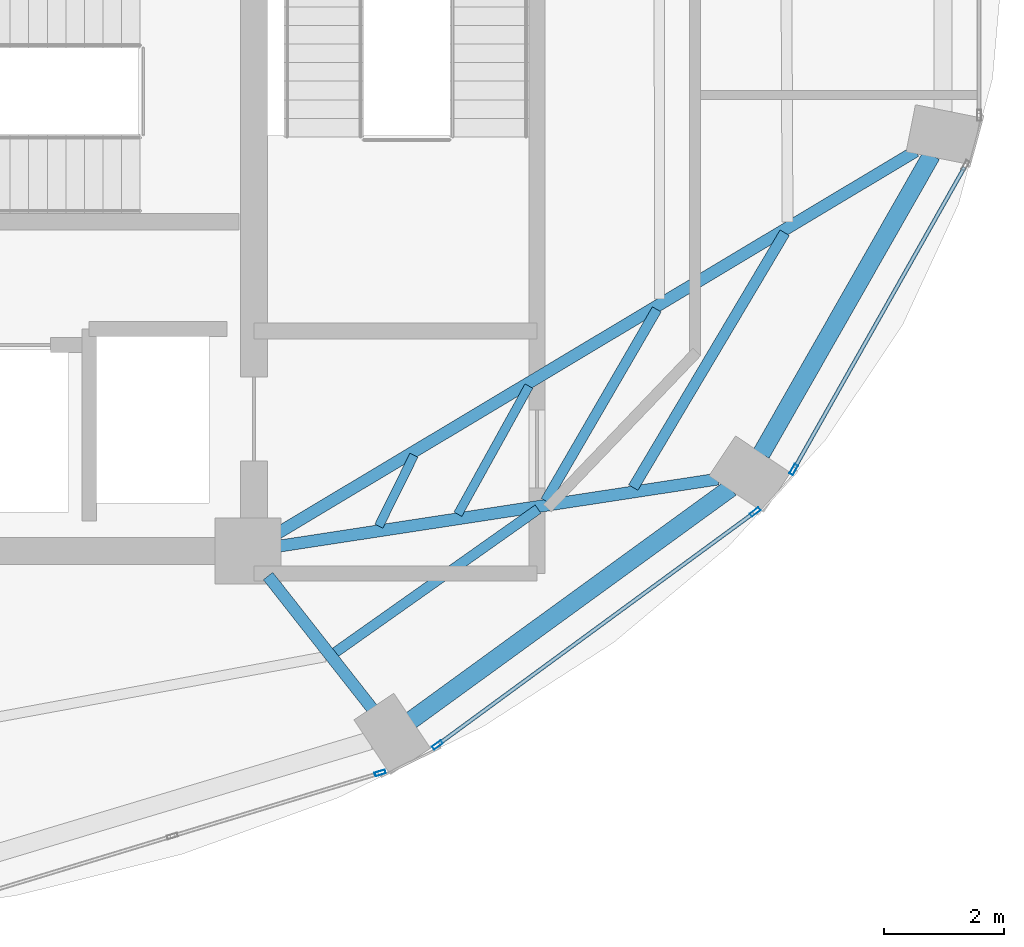
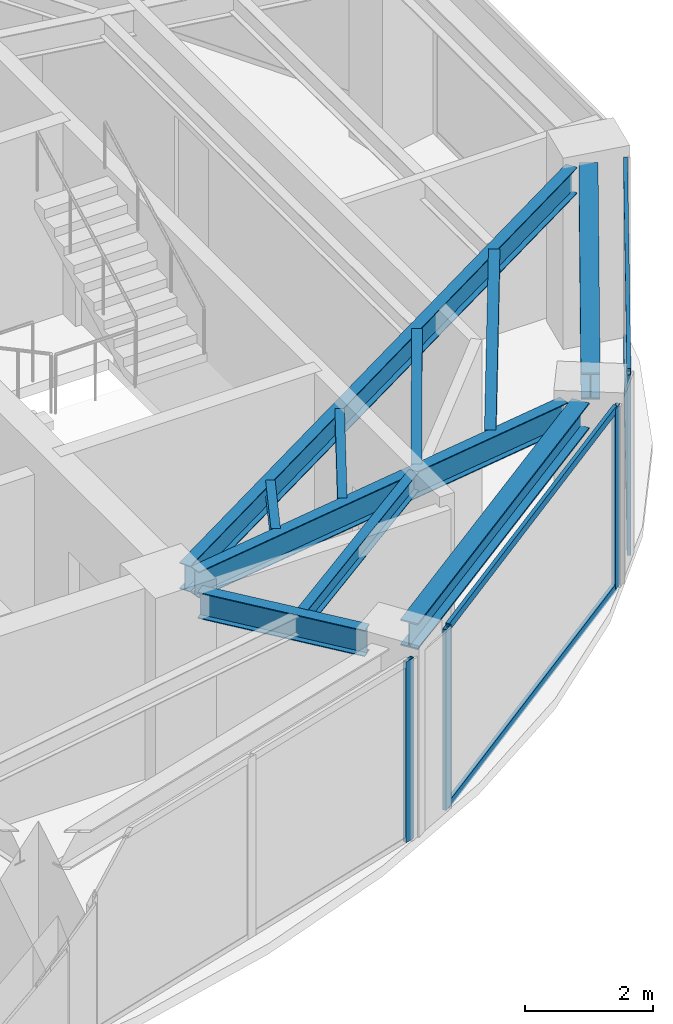
# One storey, part 13 of 22: 10 beams, 8 members, 3 elements without a shape of their own.
"""IFC4 building model written with IfcOpenShell, lengths in metres."""

from ifc_helpers import new_model, si_unit, direction, frame, origin, origin_2d, place, context, subcontext, project, spatial, hollow_rectangle, i_section, extrude, material, layer, layer_set, material_profile, profile_set, type_object, element, aggregate, save


model = new_model("IFC4")

# Units and contexts
model_context = context("Model", 3, precision=1e-05, world=origin(), true_north=direction((0.0, 1.0)))
body_context = subcontext(model_context, "Body", "Model", "MODEL_VIEW")
ifc_project = project(units=[si_unit("LENGTHUNIT", "METRE"), si_unit("AREAUNIT", "SQUARE_METRE"), si_unit("VOLUMEUNIT", "CUBIC_METRE"), si_unit("PLANEANGLEUNIT", "RADIAN"), si_unit("MASSUNIT", "GRAM", prefix="KILO")], contexts=[model_context])

# Site, building, storey
site_placement = place(None, origin())
site = spatial("IfcSite", under=ifc_project, at=site_placement, CompositionType="ELEMENT")
building_placement = place(site_placement, origin())
building = spatial("IfcBuilding", under=site, at=building_placement, Name="Lazwardi Medical Tower", CompositionType="ELEMENT")
storey_placement = place(building_placement, frame((0.0, 0.0, 238.60791015625)))
storey = spatial("IfcBuildingStorey", under=building, at=storey_placement, Name="L62", CompositionType="ELEMENT", Elevation=238.60791015625)

# Beams
ifc_material_1 = material(Name="Steel S355", Category="steel")
ifc_material_profile_1 = material_profile(ifc_material_1, i_section(OverallWidth=0.300048828125, OverallDepth=0.5, WebThickness=0.014404296875, FlangeThickness=0.028076171875, at=origin_2d()), Name="HEB 500")
ifc_profile_set_1 = profile_set([ifc_material_profile_1], Name="Steel S355")
beam_type_1 = type_object("IfcBeamType", Name="BM-RB-Z4", PredefinedType="BEAM", material=ifc_profile_set_1)
beam_1_placement = place(storey_placement, frame((48.31591796875, 17.5751953125, 3.197998046875), z_axis=(0.808889916254, 0.587960120571, 0.0), x_axis=(-0.587960120571, 0.808889916254, 0.0)))
element("IfcBeam", 1, at=beam_1_placement, inside=storey, type_object=beam_type_1, Name="Ring beam RB-05 B02 L62", PredefinedType="BEAM", context=body_context, shape_type="SweptSolid", body=[
    extrude(i_section(OverallWidth=0.300048828125, OverallDepth=0.5, WebThickness=0.014404296875, FlangeThickness=0.028076171875, at=origin_2d()), origin(), (0.0, 0.0, 1.0), 6.587158203125),
])
beam_2_placement = place(storey_placement, frame((54.15283203125, 22.016357421875, 3.197998046875), z_axis=(0.495125273299, 0.868821594886, 0.0), x_axis=(-0.868821594886, 0.495125273299, 0.0)))
element("IfcBeam", 2, at=beam_2_placement, inside=storey, type_object=beam_type_1, Name="Ring beam RB-05 B03 L62", PredefinedType="BEAM", context=body_context, shape_type="SweptSolid", body=[
    extrude(i_section(OverallWidth=0.300048828125, OverallDepth=0.5, WebThickness=0.014404296875, FlangeThickness=0.028076171875, at=origin_2d()), origin(), (0.0, 0.0, 1.0), 5.734130859375),
])
ifc_material_profile_2 = material_profile(ifc_material_1, i_section(OverallWidth=0.199951171875, OverallDepth=0.5, WebThickness=0.01025390625, FlangeThickness=0.01611328125, at=origin_2d()), Name="IPE 500")
ifc_profile_set_2 = profile_set([ifc_material_profile_2], Name="Steel S355")
beam_type_2 = type_object("IfcBeamType", Name="BM-RG-W3", PredefinedType="BEAM", material=ifc_profile_set_2)
beam_3_placement = place(storey_placement, frame((47.669677734375, 17.7666015625, 3.197998046875), z_axis=(-0.617890508382, 0.786264153864, 0.0), x_axis=(-0.786264153864, -0.617890508382, 0.0)))
element("IfcBeam", 3, at=beam_3_placement, inside=storey, type_object=beam_type_2, Name="Radial girder RG-04 R02 L62", PredefinedType="BEAM", context=body_context, shape_type="SweptSolid", body=[
    extrude(i_section(OverallWidth=0.199951171875, OverallDepth=0.5, WebThickness=0.01025390625, FlangeThickness=0.01611328125, at=origin_2d()), origin(), (0.0, 0.0, 1.0), 2.814453125),
])
beam_4_placement = place(storey_placement, frame((53.430908203125, 21.5966796875, 3.197998046875), z_axis=(-0.988522137285, -0.151076087115, 0.0), x_axis=(0.151076087115, -0.988522137285, 0.0)))
element("IfcBeam", 4, at=beam_4_placement, inside=storey, type_object=beam_type_2, Name="Radial girder RG-04 R03 L62", PredefinedType="BEAM", context=body_context, shape_type="SweptSolid", body=[
    extrude(i_section(OverallWidth=0.199951171875, OverallDepth=0.5, WebThickness=0.01025390625, FlangeThickness=0.01611328125, at=origin_2d()), origin(), (0.0, 0.0, 1.0), 7.38671875),
])
beam_5_placement = place(storey_placement, frame((56.72607421875, 27.062255859375, 3.197998046875), z_axis=(-0.857944804603, -0.513741873176, 0.0), x_axis=(0.513741873176, -0.857944804603, 0.0)))
element("IfcBeam", 5, at=beam_5_placement, inside=storey, type_object=beam_type_2, Name="Radial girder RG-04 R04 L62", PredefinedType="BEAM", context=body_context, shape_type="SweptSolid", body=[
    extrude(i_section(OverallWidth=0.199951171875, OverallDepth=0.5, WebThickness=0.01025390625, FlangeThickness=0.01611328125, at=origin_2d()), origin(), (0.0, 0.0, 1.0), 12.43310546875),
])
ifc_material_profile_3 = material_profile(ifc_material_1, i_section(OverallWidth=0.179931640625, OverallDepth=0.39990234375, WebThickness=0.008544921875, FlangeThickness=0.013427734375, at=origin_2d()), Name="IPE 400")
ifc_profile_set_3 = profile_set([ifc_material_profile_3], Name="Steel S355")
beam_type_3 = type_object("IfcBeamType", Name="BM-SJ-01", PredefinedType="JOIST", material=ifc_profile_set_3)
beam_6_placement = place(storey_placement, frame((52.01904296875, 21.455078125, 3.248046875), z_axis=(0.510967866251, 0.859599813668, 0.0), x_axis=(-0.859599813668, 0.510967866251, 0.0)))
element("IfcBeam", 6, at=beam_6_placement, inside=storey, type_object=beam_type_3, Name="Secondary joist SJ-01 R1 B03 L62", PredefinedType="JOIST", context=body_context, shape_type="SweptSolid", body=[
    extrude(i_section(OverallWidth=0.179931640625, OverallDepth=0.39990234375, WebThickness=0.008544921875, FlangeThickness=0.013427734375, at=origin_2d()), origin(), (0.0, 0.0, 1.0), 4.94189453125),
])
ifc_material_profile_4 = material_profile(ifc_material_1, i_section(OverallWidth=0.169921875, OverallDepth=0.360107421875, WebThickness=0.008056640625, FlangeThickness=0.0126953125, at=origin_2d()), Name="IPE 360")
ifc_profile_set_4 = profile_set([ifc_material_profile_4], Name="Steel S355")
beam_type_4 = type_object("IfcBeamType", Name="BM-SJ-02", PredefinedType="JOIST", material=ifc_profile_set_4)
beam_7_placement = place(storey_placement, frame((47.051513671875, 18.70654296875, 3.26806640625), z_axis=(0.816711190406, 0.577046645832, 0.0), x_axis=(-0.577046645832, 0.816711190406, 0.0)))
element("IfcBeam", 7, at=beam_7_placement, inside=storey, type_object=beam_type_4, Name="Secondary joist SJ-02 R2 B02 L62", PredefinedType="JOIST", context=body_context, shape_type="SweptSolid", body=[
    extrude(i_section(OverallWidth=0.169921875, OverallDepth=0.360107421875, WebThickness=0.008056640625, FlangeThickness=0.0126953125, at=origin_2d()), origin(), (0.0, 0.0, 1.0), 4.139892578125),
])
beam_8_placement = place(storey_placement, frame((50.5576171875, 21.232421875, 3.26806640625), z_axis=(0.50218018565, 0.864763008657, 0.0), x_axis=(-0.864763008657, 0.50218018565, 0.0)))
element("IfcBeam", 8, at=beam_8_placement, inside=storey, type_object=beam_type_4, Name="Secondary joist SJ-02 R2 B03 L62", PredefinedType="JOIST", context=body_context, shape_type="SweptSolid", body=[
    extrude(i_section(OverallWidth=0.169921875, OverallDepth=0.360107421875, WebThickness=0.008056640625, FlangeThickness=0.0126953125, at=origin_2d()), origin(), (0.0, 0.0, 1.0), 3.69189453125),
])
ifc_material_profile_5 = material_profile(ifc_material_1, i_section(OverallWidth=0.14990234375, OverallDepth=0.300048828125, WebThickness=0.007080078125, FlangeThickness=0.0107421875, at=origin_2d()), Name="IPE 300")
ifc_profile_set_5 = profile_set([ifc_material_profile_5], Name="Steel S355")
beam_type_5 = type_object("IfcBeamType", Name="BM-SJ-03", PredefinedType="JOIST", material=ifc_profile_set_5)
beam_9_placement = place(storey_placement, frame((49.095703125, 21.01025390625, 3.298095703125), z_axis=(0.484751625998, 0.874651851363, 0.0), x_axis=(-0.874651851363, 0.484751625998, 0.0)))
element("IfcBeam", 9, at=beam_9_placement, inside=storey, type_object=beam_type_5, Name="Secondary joist SJ-03 R3 B03 L62", PredefinedType="JOIST", context=body_context, shape_type="SweptSolid", body=[
    extrude(i_section(OverallWidth=0.14990234375, OverallDepth=0.300048828125, WebThickness=0.007080078125, FlangeThickness=0.0107421875, at=origin_2d()), origin(), (0.0, 0.0, 1.0), 2.442626953125),
])
beam_10_placement = place(storey_placement, frame((47.777587890625, 20.811279296875, 3.298095703125), z_axis=(0.443587297772, 0.89623116954, 0.0), x_axis=(-0.89623116954, 0.443587297772, 0.0)))
element("IfcBeam", 10, at=beam_10_placement, inside=storey, type_object=beam_type_5, Name="Secondary joist SJ-03 R4 B03 L62", PredefinedType="JOIST", context=body_context, shape_type="SweptSolid", body=[
    extrude(i_section(OverallWidth=0.14990234375, OverallDepth=0.300048828125, WebThickness=0.007080078125, FlangeThickness=0.0107421875, at=origin_2d()), origin(), (0.0, 0.0, 1.0), 1.32080078125),
])

# Curtain wall, member
ifc_material_2 = material(Name="Anodised bronze aluminium and solar control glazing", Category="aluminium")
ifc_layer = layer(ifc_material_2, 0.18994140625)
ifc_layer_set = layer_set([ifc_layer], Name="Anodised bronze aluminium and solar control glazing")
curtain_wall_type = type_object("IfcCurtainWallType", Name="CW-SYS-04", PredefinedType="NOTDEFINED", material=ifc_layer_set)
curtain_wall_1_placement = place(storey_placement, origin())
curtain_wall_1 = element("IfcCurtainWall", 11, at=curtain_wall_1_placement, inside=storey, type_object=curtain_wall_type, Name="L62 Unitised bronze curtain wall CW-04", PredefinedType="NOTDEFINED")
ifc_material_3 = material(Name="Anodised bronze aluminium", Category="aluminium")
ifc_material_profile_6 = material_profile(ifc_material_3, hollow_rectangle(XDim=0.06494140625, YDim=0.179931640625, WallThickness=0.00390625, at=origin_2d()), Name="ALU-MULLION 180x65x4")
ifc_profile_set_6 = profile_set([ifc_material_profile_6], Name="Anodised bronze aluminium")
member_type_1 = type_object("IfcMemberType", Name="CW-MUL-03", PredefinedType="MULLION", material=ifc_profile_set_6)
member_1_placement = place(storey_placement, frame((47.7998046875, 16.696533203125, 0.0), z_axis=(0.0, 0.0, 1.0), x_axis=(-0.290581889515, 0.956850126972, 0.0)))
member_1 = element("IfcMember", 12, at=member_1_placement, type_object=member_type_1, Name="CW-04 mullion 3", PredefinedType="MULLION", context=body_context, shape_type="SweptSolid", body=[
    extrude(hollow_rectangle(XDim=0.06494140625, YDim=0.179931640625, WallThickness=0.00390625, at=origin_2d()), origin(), (0.0, 0.0, 1.0), 3.447998046875),
])
aggregate(curtain_wall_1, [member_1])

# Curtain wall, members
curtain_wall_2_placement = place(storey_placement, origin())
curtain_wall_2 = element("IfcCurtainWall", 13, at=curtain_wall_2_placement, inside=storey, type_object=curtain_wall_type, Name="L62 Unitised bronze curtain wall CW-04", PredefinedType="NOTDEFINED")
member_2_placement = place(storey_placement, frame((48.75537109375, 17.1650390625, 0.0), z_axis=(0.0, 0.0, 1.0), x_axis=(-0.591268230971, 0.806474971121, 0.0)))
member_2 = element("IfcMember", 14, at=member_2_placement, type_object=member_type_1, Name="CW-04 mullion 1", PredefinedType="MULLION", context=body_context, shape_type="SweptSolid", body=[
    extrude(hollow_rectangle(XDim=0.06494140625, YDim=0.179931640625, WallThickness=0.00390625, at=origin_2d()), origin(), (0.0, 0.0, 1.0), 3.447998046875),
])
member_3_placement = place(storey_placement, frame((54.052001953125, 21.04833984375, 0.0), z_axis=(0.0, 0.0, 1.0), x_axis=(-0.591268230971, 0.806474971121, 0.0)))
member_3 = element("IfcMember", 15, at=member_3_placement, type_object=member_type_1, Name="CW-04 mullion 2", PredefinedType="MULLION", context=body_context, shape_type="SweptSolid", body=[
    extrude(hollow_rectangle(XDim=0.06494140625, YDim=0.179931640625, WallThickness=0.00390625, at=origin_2d()), origin(), (0.0, 0.0, 1.0), 3.447998046875),
])

# Curtain wall, member
curtain_wall_3_placement = place(storey_placement, origin())
curtain_wall_3 = element("IfcCurtainWall", 16, at=curtain_wall_3_placement, inside=storey, type_object=curtain_wall_type, Name="L62 Unitised bronze curtain wall CW-04", PredefinedType="NOTDEFINED")
member_4_placement = place(storey_placement, frame((54.6943359375, 21.75439453125, 0.0), z_axis=(0.0, 0.0, 1.0), x_axis=(-0.870651436011, 0.491900474661, 0.0)))
member_4 = element("IfcMember", 17, at=member_4_placement, type_object=member_type_1, Name="CW-04 mullion 1", PredefinedType="MULLION", context=body_context, shape_type="SweptSolid", body=[
    extrude(hollow_rectangle(XDim=0.06494140625, YDim=0.179931640625, WallThickness=0.00390625, at=origin_2d()), origin(), (0.0, 0.0, 1.0), 3.447998046875),
])

# Member
ifc_material_profile_7 = material_profile(ifc_material_3, hollow_rectangle(XDim=0.06494140625, YDim=0.139892578125, WallThickness=0.00341796875, at=origin_2d()), Name="ALU-TRANSOM 140x65x3.5")
ifc_profile_set_7 = profile_set([ifc_material_profile_7], Name="Anodised bronze aluminium")
member_type_2 = type_object("IfcMemberType", Name="CW-TRN-03", PredefinedType="USERDEFINED", material=ifc_profile_set_7)
member_5_placement = place(storey_placement, frame((48.781494140625, 17.184326171875, 0.032470703125), z_axis=(0.80648973359, 0.591248094808, 0.0), x_axis=(-0.591248094808, 0.80648973359, 0.0)))
member_5 = element("IfcMember", 18, at=member_5_placement, type_object=member_type_2, Name="CW-04 transom 1.1", ObjectType="TRANSOM", PredefinedType="USERDEFINED", context=body_context, shape_type="SweptSolid", body=[
    extrude(hollow_rectangle(XDim=0.06494140625, YDim=0.139892578125, WallThickness=0.00341796875, at=origin_2d()), origin(), (0.0, 0.0, 1.0), 6.502685546875),
])

member_6_placement = place(storey_placement, frame((48.781494140625, 17.184326171875, 3.41552734375), z_axis=(0.80648973359, 0.591248094808, 0.0), x_axis=(-0.591248094808, 0.80648973359, 0.0)))
member_6 = element("IfcMember", 19, at=member_6_placement, type_object=member_type_2, Name="CW-04 transom 1.2", ObjectType="TRANSOM", PredefinedType="USERDEFINED", context=body_context, shape_type="SweptSolid", body=[
    extrude(hollow_rectangle(XDim=0.06494140625, YDim=0.139892578125, WallThickness=0.00341796875, at=origin_2d()), origin(), (0.0, 0.0, 1.0), 6.502685546875),
])

aggregate(curtain_wall_2, [member_2, member_3, member_5, member_6])

member_7_placement = place(storey_placement, frame((54.71044921875, 21.78271484375, 0.032470703125), z_axis=(0.491879719484, 0.87066316194, 0.0), x_axis=(-0.87066316194, 0.491879719484, 0.0)))
member_7 = element("IfcMember", 20, at=member_7_placement, type_object=member_type_2, Name="CW-04 transom 1.1", ObjectType="TRANSOM", PredefinedType="USERDEFINED", context=body_context, shape_type="SweptSolid", body=[
    extrude(hollow_rectangle(XDim=0.06494140625, YDim=0.139892578125, WallThickness=0.00341796875, at=origin_2d()), origin(), (0.0, 0.0, 1.0), 5.755126953125),
])

member_8_placement = place(storey_placement, frame((54.71044921875, 21.78271484375, 3.41552734375), z_axis=(0.491879719484, 0.87066316194, 0.0), x_axis=(-0.87066316194, 0.491879719484, 0.0)))
member_8 = element("IfcMember", 21, at=member_8_placement, type_object=member_type_2, Name="CW-04 transom 1.2", ObjectType="TRANSOM", PredefinedType="USERDEFINED", context=body_context, shape_type="SweptSolid", body=[
    extrude(hollow_rectangle(XDim=0.06494140625, YDim=0.139892578125, WallThickness=0.00341796875, at=origin_2d()), origin(), (0.0, 0.0, 1.0), 5.755126953125),
])

aggregate(curtain_wall_3, [member_4, member_7, member_8])

save(model, "model.ifc")
